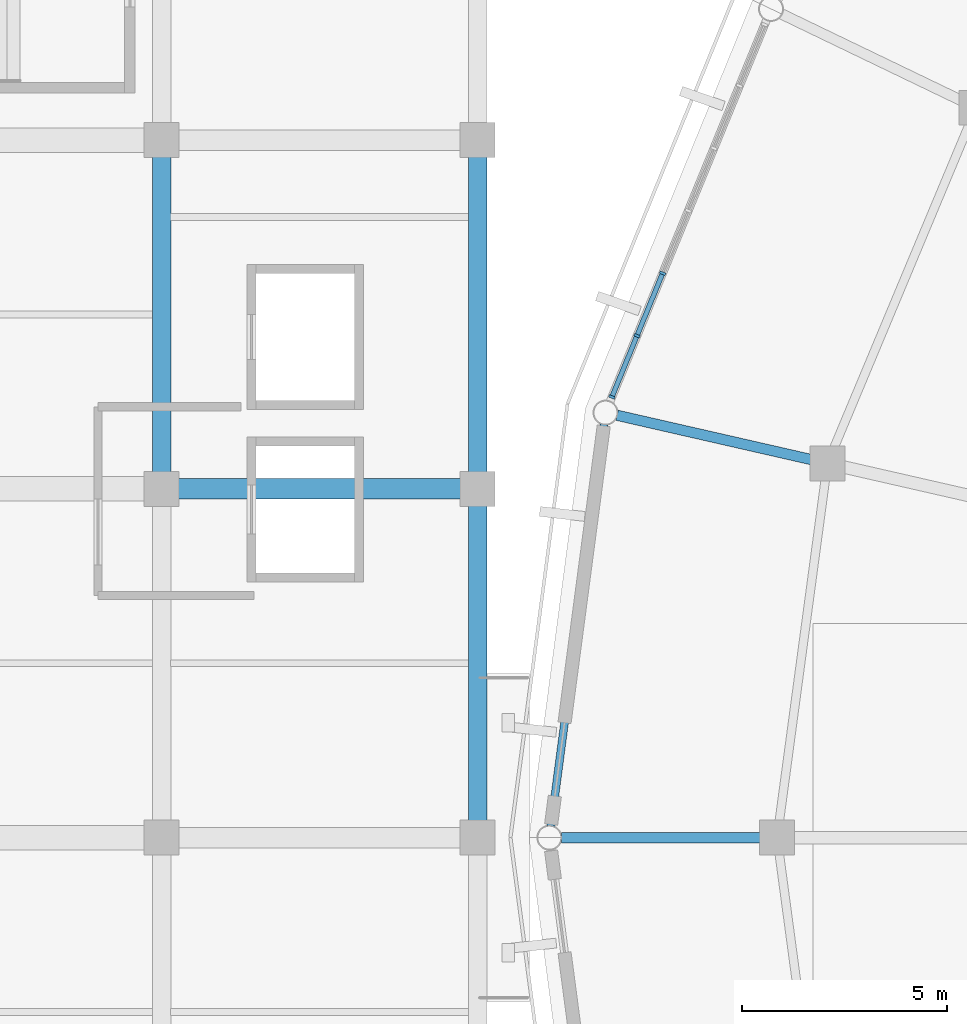
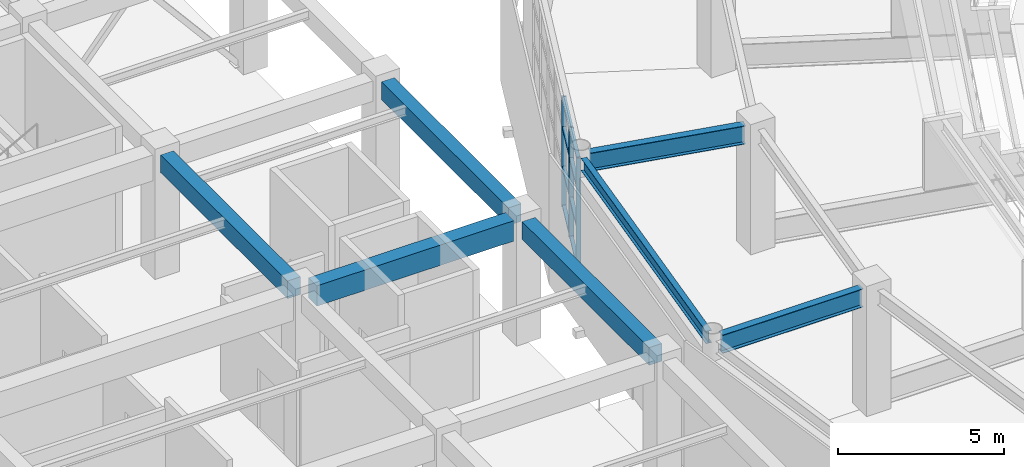
# One storey, part 42 of 122: 11 members, 7 beams, 1 element without a shape of its own.
"""IFC4 building model written with IfcOpenShell, lengths in metres."""

from ifc_helpers import new_model, si_unit, direction, frame, origin, origin_2d, place, context, subcontext, project, spatial, rectangle, i_section, extrude, material, material_profile, profile_set, type_object, element, aggregate, save


model = new_model("IFC4")

# Units and contexts
model_context = context("Model", 3, precision=1e-05, world=origin(), true_north=direction((0.0, 1.0)))
body_context = subcontext(model_context, "Body", "Model", "MODEL_VIEW")
ifc_project = project(units=[si_unit("LENGTHUNIT", "METRE"), si_unit("AREAUNIT", "SQUARE_METRE"), si_unit("VOLUMEUNIT", "CUBIC_METRE"), si_unit("PLANEANGLEUNIT", "RADIAN"), si_unit("MASSUNIT", "GRAM", prefix="KILO")], contexts=[model_context])

# Site, building, storey
site_placement = place(None, origin())
site = spatial("IfcSite", under=ifc_project, at=site_placement, CompositionType="ELEMENT")
building_placement = place(site_placement, origin())
building = spatial("IfcBuilding", under=site, at=building_placement, Name="Cuetzalor Civic Arena", CompositionType="ELEMENT")
storey_placement = place(building_placement, frame((0.0, 0.0, 16.199951171875)))
storey = spatial("IfcBuildingStorey", under=building, at=storey_placement, Name="L03", CompositionType="ELEMENT", Elevation=16.199951171875)

# Beams
ifc_material_1 = material(Name="Concrete C40/50", Category="concrete")
ifc_material_profile_1 = material_profile(ifc_material_1, rectangle(XDim=0.5, YDim=0.75, at=origin_2d()), Name="RC 500x750")
ifc_profile_set_1 = profile_set([ifc_material_profile_1], Name="Concrete C40/50")
beam_type_1 = type_object("IfcBeamType", Name="ConcreteFrameBeam_500x750", PredefinedType="BEAM", material=ifc_profile_set_1)
beam_1_placement = place(storey_placement, frame((-63.5849609375, 8.5, 4.14501953125), z_axis=(1.0, 0.0, 0.0), x_axis=(0.0, 1.0, 0.0)))
element("IfcBeam", 1, at=beam_1_placement, inside=storey, type_object=beam_type_1, Name="Frame Girder V4W-L03-X0906", PredefinedType="BEAM", context=body_context, shape_type="SweptSolid", body=[
    extrude(rectangle(XDim=0.5, YDim=0.75, at=origin_2d()), origin(), (0.0, 0.0, 1.0), 6.869873046875),
])
ifc_material_2 = material(Name="Concrete C40/50", Category="concrete")
ifc_material_profile_2 = material_profile(ifc_material_2, rectangle(XDim=0.449951171875, YDim=0.64990234375, at=origin_2d()), Name="RC 450x650")
ifc_profile_set_2 = profile_set([ifc_material_profile_2], Name="Concrete C40/50")
beam_type_2 = type_object("IfcBeamType", Name="ConcreteTieBeam_450x650", PredefinedType="BEAM", material=ifc_profile_set_2)
for number, where, z_axis, x_axis, name in (
    (2, (-64.0, 8.9150390625, 4.195068359375), (0.0, 1.0, 0.0), (-1.0, 0.0, 0.0), "Frame Girder V4W-L03-Y0943"),
    (3, (-56.300048828125, 0.4150390625, 4.195068359375), (0.0, 1.0, 0.0), (-1.0, 0.0, 0.0), "Frame Girder V4W-L03-Y0952"),
    (4, (-56.300048828125, 8.9150390625, 4.195068359375), (0.0, 1.0, 0.0), (-1.0, 0.0, 0.0), "Frame Girder V4W-L03-Y0953"),
):
    element("IfcBeam", number, at=place(storey_placement, frame(where, z_axis=z_axis, x_axis=x_axis)), inside=storey, type_object=beam_type_2, Name=name, PredefinedType="BEAM", context=body_context, shape_type="SweptSolid", body=[
        extrude(rectangle(XDim=0.449951171875, YDim=0.64990234375, at=origin_2d()), origin(), (0.0, 0.0, 1.0), 7.669921875),
    ])

# Curtain wall, members
ifc_material_3 = material(Name="Anodised dark bronze aluminium and low-E solar glass", Category="aluminium")
curtain_wall_type = type_object("IfcCurtainWallType", Name="UnitisedCW_9850x4050", PredefinedType="USERDEFINED", material=ifc_material_3)
curtain_wall_placement = place(storey_placement, origin())
curtain_wall = element("IfcCurtainWall", 5, at=curtain_wall_placement, inside=storey, type_object=curtain_wall_type, Name="Drum Triangle Foyer Curtain Wall L03-050", ObjectType="UNITISED CURTAIN WALL", PredefinedType="USERDEFINED")
ifc_material_4 = material(Name="Anodised dark bronze aluminium", Category="aluminium")
ifc_material_profile_3 = material_profile(ifc_material_4, rectangle(XDim=0.06494140625, YDim=0.14990234375, at=origin_2d()), Name="ALU MULLION 65x150")
ifc_profile_set_3 = profile_set([ifc_material_profile_3], Name="Anodised dark bronze aluminium")
member_type_1 = type_object("IfcMemberType", Name="CurtainWallMullion_60x150", PredefinedType="MULLION", material=ifc_profile_set_3)
member_1_placement = place(storey_placement, frame((-53.02587890625, 10.739990234375, 0.0), z_axis=(0.0, 0.0, 1.0), x_axis=(0.379391428583, 0.925236263836, 0.0)))
member_1 = element("IfcMember", 6, at=member_1_placement, type_object=member_type_1, Name="CW-17 mullion 1", PredefinedType="MULLION", context=body_context, shape_type="SweptSolid", body=[
    extrude(rectangle(XDim=0.06494140625, YDim=0.14990234375, at=origin_2d()), origin(), (0.0, 0.0, 1.0), 4.052978515625),
])
member_2_placement = place(storey_placement, frame((-52.413818359375, 12.232421875, 0.0), z_axis=(0.0, 0.0, 1.0), x_axis=(0.379391428583, 0.925236263836, 0.0)))
member_2 = element("IfcMember", 7, at=member_2_placement, type_object=member_type_1, Name="CW-17 mullion 2", PredefinedType="MULLION", context=body_context, shape_type="SweptSolid", body=[
    extrude(rectangle(XDim=0.06494140625, YDim=0.14990234375, at=origin_2d()), origin(), (0.0, 0.0, 1.0), 4.052978515625),
])
member_3_placement = place(storey_placement, frame((-51.78955078125, 13.755126953125, 0.0), z_axis=(0.0, 0.0, 1.0), x_axis=(0.379391428583, 0.925236263836, 0.0)))
member_3 = element("IfcMember", 8, at=member_3_placement, type_object=member_type_1, Name="CW-17 mullion 3", PredefinedType="MULLION", context=body_context, shape_type="SweptSolid", body=[
    extrude(rectangle(XDim=0.06494140625, YDim=0.14990234375, at=origin_2d()), origin(), (0.0, 0.0, 1.0), 4.052978515625),
])
ifc_material_5 = material(Name="Anodised dark bronze aluminium", Category="aluminium")
ifc_material_profile_4 = material_profile(ifc_material_5, rectangle(XDim=0.1201171875, YDim=0.06494140625, at=origin_2d()), Name="ALU TRANSOM 65x120")
ifc_profile_set_4 = profile_set([ifc_material_profile_4], Name="Anodised dark bronze aluminium")
member_type_2 = type_object("IfcMemberType", Name="CurtainWallTransom_60x120", PredefinedType="USERDEFINED", material=ifc_profile_set_4)
member_4_placement = place(storey_placement, frame((-53.013427734375, 10.77001953125, 0.032470703125), z_axis=(0.37928982406, 0.925277920067, 0.0), x_axis=(-0.925277920067, 0.37928982406, 0.0)))
member_4 = element("IfcMember", 9, at=member_4_placement, type_object=member_type_2, Name="CW-17 transom 1.1", ObjectType="TRANSOM", PredefinedType="USERDEFINED", context=body_context, shape_type="SweptSolid", body=[
    extrude(rectangle(XDim=0.1201171875, YDim=0.06494140625, at=origin_2d()), origin(), (0.0, 0.0, 1.0), 1.548095703125),
])
member_5_placement = place(storey_placement, frame((-53.013427734375, 10.77001953125, 1.458984375), z_axis=(0.37928982406, 0.925277920067, 0.0), x_axis=(-0.925277920067, 0.37928982406, 0.0)))
member_5 = element("IfcMember", 10, at=member_5_placement, type_object=member_type_2, Name="CW-17 transom 1.2", ObjectType="TRANSOM", PredefinedType="USERDEFINED", context=body_context, shape_type="SweptSolid", body=[
    extrude(rectangle(XDim=0.1201171875, YDim=0.06494140625, at=origin_2d()), origin(), (0.0, 0.0, 1.0), 1.548095703125),
])
member_6_placement = place(storey_placement, frame((-53.013427734375, 10.77001953125, 2.91796875), z_axis=(0.37928982406, 0.925277920067, 0.0), x_axis=(-0.925277920067, 0.37928982406, 0.0)))
member_6 = element("IfcMember", 11, at=member_6_placement, type_object=member_type_2, Name="CW-17 transom 1.3", ObjectType="TRANSOM", PredefinedType="USERDEFINED", context=body_context, shape_type="SweptSolid", body=[
    extrude(rectangle(XDim=0.1201171875, YDim=0.06494140625, at=origin_2d()), origin(), (0.0, 0.0, 1.0), 1.548095703125),
])
member_7_placement = place(storey_placement, frame((-53.013427734375, 10.77001953125, 4.0205078125), z_axis=(0.37928982406, 0.925277920067, 0.0), x_axis=(-0.925277920067, 0.37928982406, 0.0)))
member_7 = element("IfcMember", 12, at=member_7_placement, type_object=member_type_2, Name="CW-17 transom 1.4", ObjectType="TRANSOM", PredefinedType="USERDEFINED", context=body_context, shape_type="SweptSolid", body=[
    extrude(rectangle(XDim=0.1201171875, YDim=0.06494140625, at=origin_2d()), origin(), (0.0, 0.0, 1.0), 1.548095703125),
])
member_8_placement = place(storey_placement, frame((-52.401611328125, 12.262451171875, 0.032470703125), z_axis=(0.379444503936, 0.925214498607, 0.0), x_axis=(-0.925214498607, 0.379444503936, 0.0)))
member_8 = element("IfcMember", 13, at=member_8_placement, type_object=member_type_2, Name="CW-17 transom 2.1", ObjectType="TRANSOM", PredefinedType="USERDEFINED", context=body_context, shape_type="SweptSolid", body=[
    extrude(rectangle(XDim=0.1201171875, YDim=0.06494140625, at=origin_2d()), origin(), (0.0, 0.0, 1.0), 1.580810546875),
])
member_9_placement = place(storey_placement, frame((-52.401611328125, 12.262451171875, 1.458984375), z_axis=(0.379444503936, 0.925214498607, 0.0), x_axis=(-0.925214498607, 0.379444503936, 0.0)))
member_9 = element("IfcMember", 14, at=member_9_placement, type_object=member_type_2, Name="CW-17 transom 2.2", ObjectType="TRANSOM", PredefinedType="USERDEFINED", context=body_context, shape_type="SweptSolid", body=[
    extrude(rectangle(XDim=0.1201171875, YDim=0.06494140625, at=origin_2d()), origin(), (0.0, 0.0, 1.0), 1.580810546875),
])
member_10_placement = place(storey_placement, frame((-52.401611328125, 12.262451171875, 2.91796875), z_axis=(0.379444503936, 0.925214498607, 0.0), x_axis=(-0.925214498607, 0.379444503936, 0.0)))
member_10 = element("IfcMember", 15, at=member_10_placement, type_object=member_type_2, Name="CW-17 transom 2.3", ObjectType="TRANSOM", PredefinedType="USERDEFINED", context=body_context, shape_type="SweptSolid", body=[
    extrude(rectangle(XDim=0.1201171875, YDim=0.06494140625, at=origin_2d()), origin(), (0.0, 0.0, 1.0), 1.580810546875),
])
member_11_placement = place(storey_placement, frame((-52.401611328125, 12.262451171875, 4.0205078125), z_axis=(0.379444503936, 0.925214498607, 0.0), x_axis=(-0.925214498607, 0.379444503936, 0.0)))
member_11 = element("IfcMember", 16, at=member_11_placement, type_object=member_type_2, Name="CW-17 transom 2.4", ObjectType="TRANSOM", PredefinedType="USERDEFINED", context=body_context, shape_type="SweptSolid", body=[
    extrude(rectangle(XDim=0.1201171875, YDim=0.06494140625, at=origin_2d()), origin(), (0.0, 0.0, 1.0), 1.580810546875),
])
aggregate(curtain_wall, [member_1, member_2, member_3, member_4, member_5, member_6, member_7, member_8, member_9, member_10, member_11])

# Beams
ifc_material_6 = material(Name="Steel S355", Category="steel")
ifc_material_profile_5 = material_profile(ifc_material_6, i_section(OverallWidth=0.18994140625, OverallDepth=0.45703125, WebThickness=0.009033203125, FlangeThickness=0.014404296875, at=origin_2d()), Name="W460x74")
ifc_profile_set_5 = profile_set([ifc_material_profile_5], Name="Steel S355")
beam_type_3 = type_object("IfcBeamType", Name="FacadeSpandrelBeam_W460", PredefinedType="SPANDREL", material=ifc_profile_set_5)
beam_2_placement = place(storey_placement, frame((-53.22021484375, 10.07080078125, 4.29150390625), z_axis=(-0.130901206694, -0.991395417624, 0.0), x_axis=(0.991395417624, -0.130901206694, 0.0)))
element("IfcBeam", 17, at=beam_2_placement, inside=storey, type_object=beam_type_3, Name="Drum Perimeter Spandrel L03-S14", PredefinedType="SPANDREL", context=body_context, shape_type="SweptSolid", body=[
    extrude(i_section(OverallWidth=0.18994140625, OverallDepth=0.45703125, WebThickness=0.009033203125, FlangeThickness=0.014404296875, at=origin_2d()), origin(), (0.0, 0.0, 1.0), 9.8681640625),
])
ifc_material_7 = material(Name="Steel S355", Category="steel")
ifc_material_profile_6 = material_profile(ifc_material_7, i_section(OverallWidth=0.2529296875, OverallDepth=0.677978515625, WebThickness=0.01171875, FlangeThickness=0.016357421875, at=origin_2d()), Name="W690x125")
ifc_profile_set_6 = profile_set([ifc_material_profile_6], Name="Steel S355")
beam_type_4 = type_object("IfcBeamType", Name="SteelPrimaryGirder_W690", PredefinedType="BEAM", material=ifc_profile_set_6)
for number, where, z_axis, x_axis, name in (
    (18, (-48.12255859375, 9.20361328125, 4.18115234375), (-0.974939153271, 0.222471677792, 0.0), (-0.222471677792, -0.974939153271, 0.0), "Drum Radial Girder L03-R14"),
    (19, (-49.360107421875, 0.0, 4.18115234375), (-1.0, 0.0, 0.0), (0.0, -1.0, 0.0), "Drum Radial Girder L03-R15"),
):
    element("IfcBeam", number, at=place(storey_placement, frame(where, z_axis=z_axis, x_axis=x_axis)), inside=storey, type_object=beam_type_4, Name=name, PredefinedType="BEAM", context=body_context, shape_type="SweptSolid", body=[
        extrude(i_section(OverallWidth=0.2529296875, OverallDepth=0.677978515625, WebThickness=0.01171875, FlangeThickness=0.016357421875, at=origin_2d()), origin(), (0.0, 0.0, 1.0), 4.89990234375),
    ])

save(model, "model.ifc")
